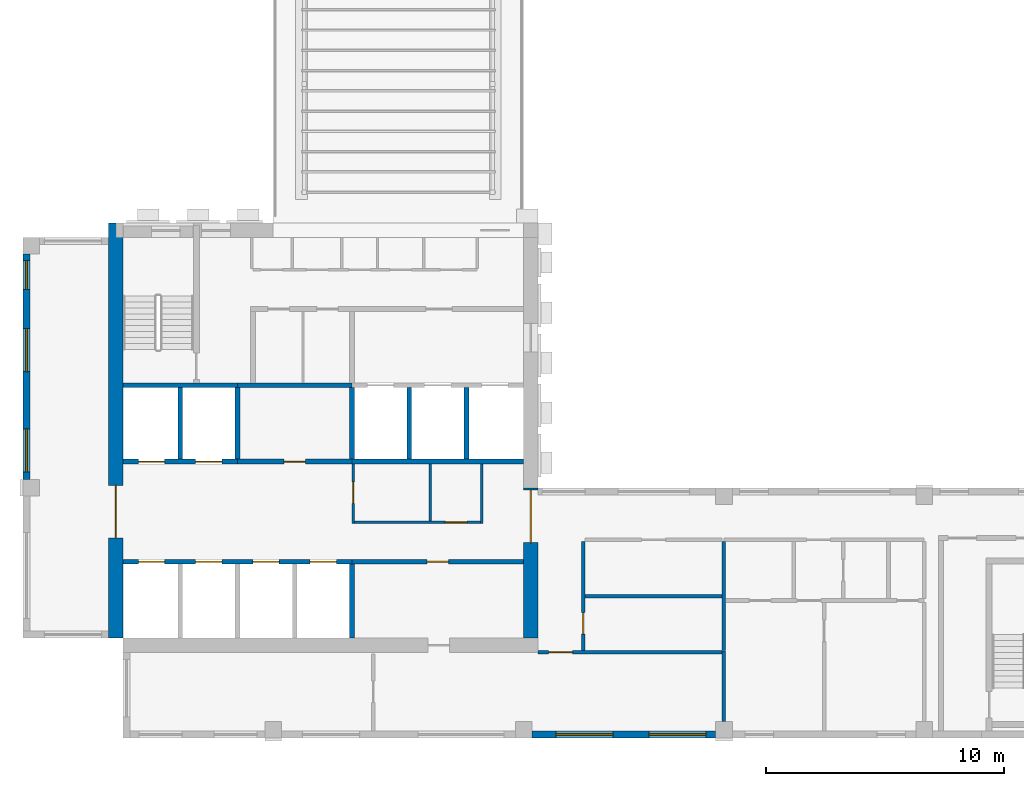
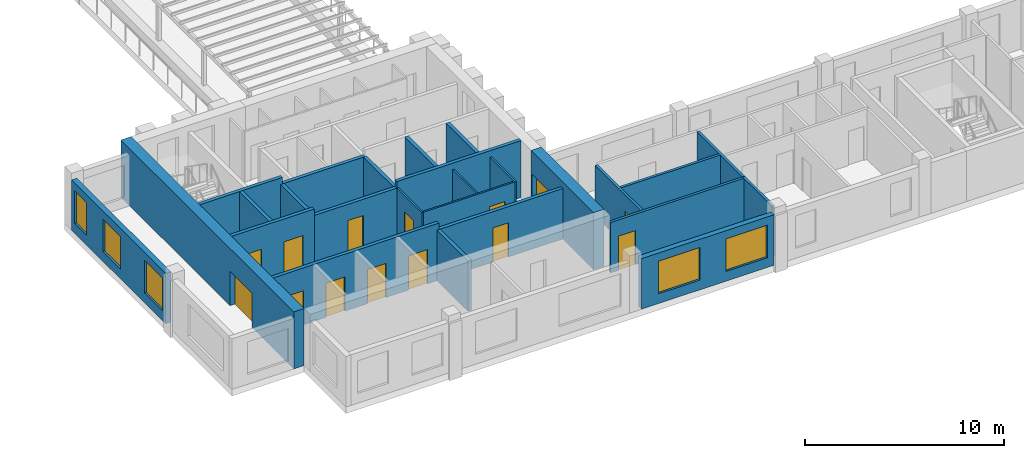
# One storey, part 2 of 9: 26 walls, 14 doors, 5 windows, 19 openings.
"""IFC4 building model written with IfcOpenShell, lengths in metres."""

from ifc_helpers import new_model, si_unit, direction, frame, frame_2d, origin, place, context, subcontext, project, spatial, rectangle, extrude, source, transform, mapped, material, layer, layer_set, type_object, element, fill, save


model = new_model("IFC4")

# Units and contexts
model_context = context("Model", 3, precision=1e-05, world=origin(), true_north=direction((0.0, 1.0)))
body_context = subcontext(model_context, "Body", "Model", "MODEL_VIEW")
ifc_project = project(units=[si_unit("LENGTHUNIT", "METRE"), si_unit("AREAUNIT", "SQUARE_METRE"), si_unit("VOLUMEUNIT", "CUBIC_METRE"), si_unit("PLANEANGLEUNIT", "RADIAN"), si_unit("MASSUNIT", "GRAM", prefix="KILO")], contexts=[model_context])

# Site, building, storey
site_placement = place(None, origin())
site = spatial("IfcSite", under=ifc_project, at=site_placement, CompositionType="ELEMENT")
building_placement = place(site_placement, origin())
building = spatial("IfcBuilding", under=site, at=building_placement, Name="Aurelian Terraces", CompositionType="ELEMENT")
storey_placement = place(building_placement, frame((0.0, 0.0, 309.0)))
storey = spatial("IfcBuildingStorey", under=building, at=storey_placement, Name="L71", CompositionType="ELEMENT", Elevation=309.0)

# Wall, opening, door
ifc_material_1 = material(Name="Concrete fc' 55 MPa", Category="concrete")
ifc_layer_1 = layer(ifc_material_1, 0.6)
ifc_layer_set_1 = layer_set([ifc_layer_1], Name="CORE WALL 600 FC55")
wall_type_1 = type_object("IfcWallType", Name="CORE WALL 600 FC55", PredefinedType="SHEAR", material=ifc_layer_set_1)
shared_shape_1 = source(origin(), body_context, "Body", "SweptSolid", [
    extrude(rectangle(XDim=17.4, YDim=0.6, at=frame_2d((8.7, 0.0))), origin(), (0.0, 0.0, 1.0), 3.5),
])
wall_1_placement = place(storey_placement, frame((3.9, 4.2, 0.0), z_axis=(0.0, 0.0, 1.0), x_axis=(0.0, 1.0, 0.0)))
wall_1 = element("IfcWall", 1, at=wall_1_placement, inside=storey, type_object=wall_type_1, Name="Core wall W L71", PredefinedType="SHEAR", context=body_context, shape_type="MappedRepresentation", body=[
    mapped(shared_shape_1, transform((0.0, 0.0, 0.0), scale=1.0)),
])
shared_shape_2 = source(origin(), body_context, "Body", "SweptSolid", [
    extrude(rectangle(XDim=2.2, YDim=2.1, at=frame_2d((1.1, 1.05))), frame((0.0, 0.31, 0.0), z_axis=(0.0, -1.0, 0.0), x_axis=(1.0, 0.0, 0.0)), (0.0, 0.0, 1.0), 0.62),
])
opening_1_placement = place(wall_1_placement, frame((4.2, 0.0, 0.0)))
opening_1 = element("IfcOpeningElement", 2, at=opening_1_placement, cuts=wall_1, Name="Opening 67429", PredefinedType="OPENING", context=body_context, shape_type="MappedRepresentation", body=[
    mapped(shared_shape_2, transform((0.0, 0.0, 0.0), scale=1.0)),
])
ifc_material_2 = material(Name="Steel door leaf", Category="steel")
door_type_1 = type_object("IfcDoorType", Name="Core double door 2200x2100", OperationType="DOUBLE_DOOR_SINGLE_SWING", PredefinedType="DOOR", material=ifc_material_2)
shared_shape_3 = source(origin(), body_context, "Body", "SweptSolid", [
    extrude(rectangle(XDim=2.2, YDim=2.1, at=frame_2d((1.1, 1.05))), frame((0.0, 0.025, 0.0), z_axis=(0.0, -1.0, 0.0), x_axis=(1.0, 0.0, 0.0)), (0.0, 0.0, 1.0), 0.05),
])
door_1_placement = place(opening_1_placement, origin())
door_1 = element("IfcDoor", 3, at=door_1_placement, inside=storey, type_object=door_type_1, Name="Core door 67429", OperationType="DOUBLE_DOOR_SINGLE_SWING", OverallHeight=2.1, OverallWidth=2.2, PredefinedType="DOOR", context=body_context, shape_type="MappedRepresentation", body=[
    mapped(shared_shape_3, transform((0.0, 0.0, 0.0), scale=1.0)),
])
fill(opening_1, door_1)

shared_shape_4 = source(origin(), body_context, "Body", "SweptSolid", [
    extrude(rectangle(XDim=6.3, YDim=0.6, at=frame_2d((3.15, 0.0))), origin(), (0.0, 0.0, 1.0), 3.5),
])
wall_2_placement = place(storey_placement, frame((21.3, 4.2, 0.0), z_axis=(0.0, 0.0, 1.0), x_axis=(0.0, 1.0, 0.0)))
wall_2 = element("IfcWall", 4, at=wall_2_placement, inside=storey, type_object=wall_type_1, Name="Core wall E L71", PredefinedType="SHEAR", context=body_context, shape_type="MappedRepresentation", body=[
    mapped(shared_shape_4, transform((0.0, 0.0, 0.0), scale=1.0)),
])
opening_2_placement = place(wall_2_placement, frame((4.0, 0.0, 0.0)))
opening_2 = element("IfcOpeningElement", 5, at=opening_2_placement, cuts=wall_2, Name="Opening 67428", PredefinedType="OPENING", context=body_context, shape_type="MappedRepresentation", body=[
    mapped(shared_shape_2, transform((0.0, 0.0, 0.0), scale=1.0)),
])
door_2_placement = place(opening_2_placement, origin())
door_2 = element("IfcDoor", 6, at=door_2_placement, inside=storey, type_object=door_type_1, Name="Core door 67428", OperationType="DOUBLE_DOOR_SINGLE_SWING", OverallHeight=2.1, OverallWidth=2.2, PredefinedType="DOOR", context=body_context, shape_type="MappedRepresentation", body=[
    mapped(shared_shape_3, transform((0.0, 0.0, 0.0), scale=1.0)),
])
fill(opening_2, door_2)

# Wall, openings, windows
ifc_material_3 = material(Name="Terracotta rainscreen cladding", Category="masonry")
ifc_layer_2 = layer(ifc_material_3, 0.3)
ifc_layer_set_2 = layer_set([ifc_layer_2], Name="EW-300")
wall_type_2 = type_object("IfcWallType", Name="EW-300", PredefinedType="STANDARD", material=ifc_layer_set_2)
shared_shape_5 = source(origin(), body_context, "Body", "SweptSolid", [
    extrude(rectangle(XDim=7.7, YDim=0.3, at=frame_2d((3.85, 0.0))), origin(), (0.0, 0.0, 1.0), 3.1),
])
wall_3_placement = place(storey_placement, frame((21.35, 0.15, 0.0), z_axis=(0.0, 0.0, 1.0), x_axis=(1.0, 0.0, 0.0)))
wall_3 = element("IfcWall", 7, at=wall_3_placement, inside=storey, type_object=wall_type_2, Name="External wall L71 F01.3", PredefinedType="STANDARD", context=body_context, shape_type="MappedRepresentation", body=[
    mapped(shared_shape_5, transform((0.0, 0.0, 0.0), scale=1.0)),
])
shared_shape_6 = source(origin(), body_context, "Body", "SweptSolid", [
    extrude(rectangle(XDim=2.4, YDim=2.0, at=frame_2d((1.2, 1.0))), frame((0.0, 0.16, 0.0), z_axis=(0.0, -1.0, 0.0), x_axis=(1.0, 0.0, 0.0)), (0.0, 0.0, 1.0), 0.32),
])
opening_3_placement = place(wall_3_placement, frame((1.0, 0.0, 0.6)))
opening_3 = element("IfcOpeningElement", 8, at=opening_3_placement, cuts=wall_3, Name="Opening W2420", PredefinedType="OPENING", context=body_context, shape_type="MappedRepresentation", body=[
    mapped(shared_shape_6, transform((0.0, 0.0, 0.0), scale=1.0)),
])
opening_4_placement = place(wall_3_placement, frame((4.9, 0.0, 0.6)))
opening_4 = element("IfcOpeningElement", 9, at=opening_4_placement, cuts=wall_3, Name="Opening W2420", PredefinedType="OPENING", context=body_context, shape_type="MappedRepresentation", body=[
    mapped(shared_shape_6, transform((0.0, 0.0, 0.0), scale=1.0)),
])
ifc_material_4 = material(Name="Clear glazing", Category="glass")
window_type_1 = type_object("IfcWindowType", Name="W-2400x2000", PartitioningType="SINGLE_PANEL", PredefinedType="WINDOW", material=ifc_material_4)
shared_shape_7 = source(origin(), body_context, "Body", "SweptSolid", [
    extrude(rectangle(XDim=2.4, YDim=2.0, at=frame_2d((1.2, 1.0))), frame((0.0, 0.03, 0.0), z_axis=(0.0, -1.0, 0.0), x_axis=(1.0, 0.0, 0.0)), (0.0, 0.0, 1.0), 0.06),
])
window_1_placement = place(opening_3_placement, origin())
window_1 = element("IfcWindow", 10, at=window_1_placement, inside=storey, type_object=window_type_1, Name="Window L71 L71-F01-03-1", OverallHeight=2.0, OverallWidth=2.4, PartitioningType="SINGLE_PANEL", PredefinedType="WINDOW", context=body_context, shape_type="MappedRepresentation", body=[
    mapped(shared_shape_7, transform((0.0, 0.0, 0.0), scale=1.0)),
])
fill(opening_3, window_1)
window_2_placement = place(opening_4_placement, origin())
window_2 = element("IfcWindow", 11, at=window_2_placement, inside=storey, type_object=window_type_1, Name="Window L71 L71-F01-03-2", OverallHeight=2.0, OverallWidth=2.4, PartitioningType="SINGLE_PANEL", PredefinedType="WINDOW", context=body_context, shape_type="MappedRepresentation", body=[
    mapped(shared_shape_7, transform((0.0, 0.0, 0.0), scale=1.0)),
])
fill(opening_4, window_2)

shared_shape_8 = source(origin(), body_context, "Body", "SweptSolid", [
    extrude(rectangle(XDim=9.45, YDim=0.3, at=frame_2d((4.725, 0.0))), origin(), (0.0, 0.0, 1.0), 3.1),
])
wall_4_placement = place(storey_placement, frame((0.15, 20.3, 0.0), z_axis=(0.0, 0.0, 1.0), x_axis=(0.0, -1.0, 0.0)))
wall_4 = element("IfcWall", 12, at=wall_4_placement, inside=storey, type_object=wall_type_2, Name="External wall L71 F12.18", PredefinedType="STANDARD", context=body_context, shape_type="MappedRepresentation", body=[
    mapped(shared_shape_8, transform((0.0, 0.0, 0.0), scale=1.0)),
])
shared_shape_9 = source(origin(), body_context, "Body", "SweptSolid", [
    extrude(rectangle(XDim=1.2, YDim=2.0, at=frame_2d((0.6, 1.0))), frame((0.0, 0.16, 0.0), z_axis=(0.0, -1.0, 0.0), x_axis=(1.0, 0.0, 0.0)), (0.0, 0.0, 1.0), 0.32),
])
opening_5_placement = place(wall_4_placement, frame((0.275, 0.0, 0.6)))
opening_5 = element("IfcOpeningElement", 13, at=opening_5_placement, cuts=wall_4, Name="Opening W1220", PredefinedType="OPENING", context=body_context, shape_type="MappedRepresentation", body=[
    mapped(shared_shape_9, transform((0.0, 0.0, 0.0), scale=1.0)),
])
shared_shape_10 = source(origin(), body_context, "Body", "SweptSolid", [
    extrude(rectangle(XDim=1.8, YDim=2.0, at=frame_2d((0.9, 1.0))), frame((0.0, 0.16, 0.0), z_axis=(0.0, -1.0, 0.0), x_axis=(1.0, 0.0, 0.0)), (0.0, 0.0, 1.0), 0.32),
])
opening_6_placement = place(wall_4_placement, frame((3.125, 0.0, 0.6)))
opening_6 = element("IfcOpeningElement", 14, at=opening_6_placement, cuts=wall_4, Name="Opening W1820", PredefinedType="OPENING", context=body_context, shape_type="MappedRepresentation", body=[
    mapped(shared_shape_10, transform((0.0, 0.0, 0.0), scale=1.0)),
])
opening_7_placement = place(wall_4_placement, frame((7.325, 0.0, 0.6)))
opening_7 = element("IfcOpeningElement", 15, at=opening_7_placement, cuts=wall_4, Name="Opening W1820", PredefinedType="OPENING", context=body_context, shape_type="MappedRepresentation", body=[
    mapped(shared_shape_10, transform((0.0, 0.0, 0.0), scale=1.0)),
])
window_type_2 = type_object("IfcWindowType", Name="W-1200x2000", PartitioningType="SINGLE_PANEL", PredefinedType="WINDOW", material=ifc_material_4)
shared_shape_11 = source(origin(), body_context, "Body", "SweptSolid", [
    extrude(rectangle(XDim=1.2, YDim=2.0, at=frame_2d((0.6, 1.0))), frame((0.0, 0.03, 0.0), z_axis=(0.0, -1.0, 0.0), x_axis=(1.0, 0.0, 0.0)), (0.0, 0.0, 1.0), 0.06),
])
window_3_placement = place(opening_5_placement, origin())
window_3 = element("IfcWindow", 16, at=window_3_placement, inside=storey, type_object=window_type_2, Name="Window L71 L71-F12-18-0", OverallHeight=2.0, OverallWidth=1.2, PartitioningType="SINGLE_PANEL", PredefinedType="WINDOW", context=body_context, shape_type="MappedRepresentation", body=[
    mapped(shared_shape_11, transform((0.0, 0.0, 0.0), scale=1.0)),
])
fill(opening_5, window_3)
window_type_3 = type_object("IfcWindowType", Name="W-1800x2000", PartitioningType="SINGLE_PANEL", PredefinedType="WINDOW", material=ifc_material_4)
shared_shape_12 = source(origin(), body_context, "Body", "SweptSolid", [
    extrude(rectangle(XDim=1.8, YDim=2.0, at=frame_2d((0.9, 1.0))), frame((0.0, 0.03, 0.0), z_axis=(0.0, -1.0, 0.0), x_axis=(1.0, 0.0, 0.0)), (0.0, 0.0, 1.0), 0.06),
])
window_4_placement = place(opening_6_placement, origin())
window_4 = element("IfcWindow", 17, at=window_4_placement, inside=storey, type_object=window_type_3, Name="Window L71 L71-F12-18-1", OverallHeight=2.0, OverallWidth=1.8, PartitioningType="SINGLE_PANEL", PredefinedType="WINDOW", context=body_context, shape_type="MappedRepresentation", body=[
    mapped(shared_shape_12, transform((0.0, 0.0, 0.0), scale=1.0)),
])
fill(opening_6, window_4)
window_5_placement = place(opening_7_placement, origin())
window_5 = element("IfcWindow", 18, at=window_5_placement, inside=storey, type_object=window_type_3, Name="Window L71 L71-F12-18-2", OverallHeight=2.0, OverallWidth=1.8, PartitioningType="SINGLE_PANEL", PredefinedType="WINDOW", context=body_context, shape_type="MappedRepresentation", body=[
    mapped(shared_shape_12, transform((0.0, 0.0, 0.0), scale=1.0)),
])
fill(opening_7, window_5)

# Walls
ifc_material_5 = material(Name="Concrete fc' 40 MPa", Category="concrete")
ifc_layer_3 = layer(ifc_material_5, 0.2)
ifc_layer_set_3 = layer_set([ifc_layer_3], Name="Lift shaft wall 200")
wall_type_3 = type_object("IfcWallType", Name="Lift shaft wall 200", PredefinedType="SOLIDWALL", material=ifc_layer_set_3)
shared_shape_13 = source(origin(), body_context, "Body", "SweptSolid", [
    extrude(rectangle(XDim=3.1, YDim=0.2, at=frame_2d((1.55, 0.0))), origin(), (0.0, 0.0, 1.0), 3.1),
])
wall_5_placement = place(storey_placement, frame((13.8, 4.2, 0.0), z_axis=(0.0, 0.0, 1.0), x_axis=(0.0, 1.0, 0.0)))
element("IfcWall", 19, at=wall_5_placement, inside=storey, type_object=wall_type_3, Name="L71 core wall CD-A4", PredefinedType="SOLIDWALL", context=body_context, shape_type="MappedRepresentation", body=[
    mapped(shared_shape_13, transform((0.0, 0.0, 0.0), scale=1.0)),
])
shared_shape_14 = source(origin(), body_context, "Body", "SweptSolid", [
    extrude(rectangle(XDim=3.0, YDim=0.2, at=frame_2d((1.5, 0.0))), origin(), (0.0, 0.0, 1.0), 3.1),
])
for number, where, z_axis, x_axis, name in (
    (20, (9.0, 11.7, 0.0), (0.0, 0.0, 1.0), (0.0, 1.0, 0.0), "L71 core wall CD-B2"),
    (21, (13.8, 11.7, 0.0), (0.0, 0.0, 1.0), (0.0, 1.0, 0.0), "L71 core wall CD-B4"),
):
    element("IfcWall", number, at=place(storey_placement, frame(where, z_axis=z_axis, x_axis=x_axis)), inside=storey, type_object=wall_type_3, Name=name, PredefinedType="SOLIDWALL", context=body_context, shape_type="MappedRepresentation", body=[
        mapped(shared_shape_14, transform((0.0, 0.0, 0.0), scale=1.0)),
    ])
shared_shape_15 = source(origin(), body_context, "Body", "SweptSolid", [
    extrude(rectangle(XDim=3.0, YDim=0.2, at=frame_2d((1.5, 0.0))), origin(), (0.0, 0.0, 1.0), 3.5),
])
for number, where, z_axis, x_axis, name in (
    (22, (6.6, 11.7, 0.0), (0.0, 0.0, 1.0), (0.0, 1.0, 0.0), "L71 core wall CD-B1"),
    (23, (16.2, 11.7, 0.0), (0.0, 0.0, 1.0), (0.0, 1.0, 0.0), "L71 core wall CD-B5"),
    (24, (18.6, 11.7, 0.0), (0.0, 0.0, 1.0), (0.0, 1.0, 0.0), "L71 core wall CD-B6"),
):
    element("IfcWall", number, at=place(storey_placement, frame(where, z_axis=z_axis, x_axis=x_axis)), inside=storey, type_object=wall_type_3, Name=name, PredefinedType="SOLIDWALL", context=body_context, shape_type="MappedRepresentation", body=[
        mapped(shared_shape_15, transform((0.0, 0.0, 0.0), scale=1.0)),
    ])

# Wall, openings, doors
shared_shape_16 = source(origin(), body_context, "Body", "SweptSolid", [
    extrude(rectangle(XDim=4.8, YDim=0.2, at=frame_2d((2.4, 0.0))), origin(), (0.0, 0.0, 1.0), 3.5),
])
wall_6_placement = place(storey_placement, frame((4.2, 11.6, 0.0), z_axis=(0.0, 0.0, 1.0), x_axis=(1.0, 0.0, 0.0)))
wall_6 = element("IfcWall", 25, at=wall_6_placement, inside=storey, type_object=wall_type_3, Name="L71 core wall CF-BF1", PredefinedType="SOLIDWALL", context=body_context, shape_type="MappedRepresentation", body=[
    mapped(shared_shape_16, transform((0.0, 0.0, 0.0), scale=1.0)),
])
shared_shape_17 = source(origin(), body_context, "Body", "SweptSolid", [
    extrude(rectangle(XDim=1.1, YDim=2.1, at=frame_2d((0.55, 1.05))), frame((0.0, 0.11, 0.0), z_axis=(0.0, -1.0, 0.0), x_axis=(1.0, 0.0, 0.0)), (0.0, 0.0, 1.0), 0.22),
])
opening_8_placement = place(wall_6_placement, frame((0.65, 0.0, 0.0)))
opening_8 = element("IfcOpeningElement", 26, at=opening_8_placement, cuts=wall_6, Name="Opening 67405", PredefinedType="OPENING", context=body_context, shape_type="MappedRepresentation", body=[
    mapped(shared_shape_17, transform((0.0, 0.0, 0.0), scale=1.0)),
])
opening_9_placement = place(wall_6_placement, frame((3.05, 0.0, 0.0)))
opening_9 = element("IfcOpeningElement", 27, at=opening_9_placement, cuts=wall_6, Name="Opening 67406", PredefinedType="OPENING", context=body_context, shape_type="MappedRepresentation", body=[
    mapped(shared_shape_17, transform((0.0, 0.0, 0.0), scale=1.0)),
])
ifc_material_6 = material(Name="Stainless steel", Category="steel")
door_type_2 = type_object("IfcDoorType", Name="Lift landing door 1100x2100", OperationType="SLIDING_TO_LEFT", PredefinedType="DOOR", material=ifc_material_6)
shared_shape_18 = source(origin(), body_context, "Body", "SweptSolid", [
    extrude(rectangle(XDim=1.1, YDim=2.1, at=frame_2d((0.55, 1.05))), frame((0.0, 0.025, 0.0), z_axis=(0.0, -1.0, 0.0), x_axis=(1.0, 0.0, 0.0)), (0.0, 0.0, 1.0), 0.05),
])
door_3_placement = place(opening_8_placement, origin())
door_3 = element("IfcDoor", 28, at=door_3_placement, inside=storey, type_object=door_type_2, Name="Lift landing door LH5 L71", OperationType="SLIDING_TO_LEFT", OverallHeight=2.1, OverallWidth=1.1, PredefinedType="DOOR", context=body_context, shape_type="MappedRepresentation", body=[
    mapped(shared_shape_18, transform((0.0, 0.0, 0.0), scale=1.0)),
])
fill(opening_8, door_3)
door_4_placement = place(opening_9_placement, origin())
door_4 = element("IfcDoor", 29, at=door_4_placement, inside=storey, type_object=door_type_2, Name="Lift landing door LH6 L71", OperationType="SLIDING_TO_LEFT", OverallHeight=2.1, OverallWidth=1.1, PredefinedType="DOOR", context=body_context, shape_type="MappedRepresentation", body=[
    mapped(shared_shape_18, transform((0.0, 0.0, 0.0), scale=1.0)),
])
fill(opening_9, door_4)

# Wall
wall_7_placement = place(storey_placement, frame((4.2, 14.8, 0.0), z_axis=(0.0, 0.0, 1.0), x_axis=(1.0, 0.0, 0.0)))
element("IfcWall", 30, at=wall_7_placement, inside=storey, type_object=wall_type_3, Name="L71 core wall CF-BB1", PredefinedType="SOLIDWALL", context=body_context, shape_type="MappedRepresentation", body=[
    mapped(shared_shape_16, transform((0.0, 0.0, 0.0), scale=1.0)),
])

# Wall, opening, door
shared_shape_19 = source(origin(), body_context, "Body", "SweptSolid", [
    extrude(rectangle(XDim=4.8, YDim=0.2, at=frame_2d((2.4, 0.0))), origin(), (0.0, 0.0, 1.0), 3.1),
])
wall_8_placement = place(storey_placement, frame((9.0, 11.6, 0.0), z_axis=(0.0, 0.0, 1.0), x_axis=(1.0, 0.0, 0.0)))
wall_8 = element("IfcWall", 31, at=wall_8_placement, inside=storey, type_object=wall_type_3, Name="L71 core wall CF-BF2", PredefinedType="SOLIDWALL", context=body_context, shape_type="MappedRepresentation", body=[
    mapped(shared_shape_19, transform((0.0, 0.0, 0.0), scale=1.0)),
])
shared_shape_20 = source(origin(), body_context, "Body", "SweptSolid", [
    extrude(rectangle(XDim=0.9, YDim=2.1, at=frame_2d((0.45, 1.05))), frame((0.0, 0.11, 0.0), z_axis=(0.0, -1.0, 0.0), x_axis=(1.0, 0.0, 0.0)), (0.0, 0.0, 1.0), 0.22),
])
opening_10_placement = place(wall_8_placement, frame((1.95, 0.0, 0.0)))
opening_10 = element("IfcOpeningElement", 32, at=opening_10_placement, cuts=wall_8, Name="Opening 67407", PredefinedType="OPENING", context=body_context, shape_type="MappedRepresentation", body=[
    mapped(shared_shape_20, transform((0.0, 0.0, 0.0), scale=1.0)),
])
door_type_3 = type_object("IfcDoorType", Name="Core service door 900x2100 right", OperationType="SINGLE_SWING_RIGHT", PredefinedType="DOOR", material=ifc_material_2)
shared_shape_21 = source(origin(), body_context, "Body", "SweptSolid", [
    extrude(rectangle(XDim=0.9, YDim=2.1, at=frame_2d((0.45, 1.05))), frame((0.0, 0.025, 0.0), z_axis=(0.0, -1.0, 0.0), x_axis=(1.0, 0.0, 0.0)), (0.0, 0.0, 1.0), 0.05),
])
door_5_placement = place(opening_10_placement, origin())
door_5 = element("IfcDoor", 33, at=door_5_placement, inside=storey, type_object=door_type_3, Name="Room door 67407", OperationType="SINGLE_SWING_RIGHT", OverallHeight=2.1, OverallWidth=0.9, PredefinedType="DOOR", context=body_context, shape_type="MappedRepresentation", body=[
    mapped(shared_shape_21, transform((0.0, 0.0, 0.0), scale=1.0)),
])
fill(opening_10, door_5)

# Walls
wall_9_placement = place(storey_placement, frame((9.0, 14.8, 0.0), z_axis=(0.0, 0.0, 1.0), x_axis=(1.0, 0.0, 0.0)))
element("IfcWall", 34, at=wall_9_placement, inside=storey, type_object=wall_type_3, Name="L71 core wall CF-BB2", PredefinedType="SOLIDWALL", context=body_context, shape_type="MappedRepresentation", body=[
    mapped(shared_shape_19, transform((0.0, 0.0, 0.0), scale=1.0)),
])
shared_shape_22 = source(origin(), body_context, "Body", "SweptSolid", [
    extrude(rectangle(XDim=7.2, YDim=0.2, at=frame_2d((3.6, 0.0))), origin(), (0.0, 0.0, 1.0), 3.5),
])
wall_10_placement = place(storey_placement, frame((13.8, 11.6, 0.0), z_axis=(0.0, 0.0, 1.0), x_axis=(1.0, 0.0, 0.0)))
element("IfcWall", 35, at=wall_10_placement, inside=storey, type_object=wall_type_3, Name="L71 core wall CF-BF3", PredefinedType="SOLIDWALL", context=body_context, shape_type="MappedRepresentation", body=[
    mapped(shared_shape_22, transform((0.0, 0.0, 0.0), scale=1.0)),
])

# Wall, openings, doors
shared_shape_23 = source(origin(), body_context, "Body", "SweptSolid", [
    extrude(rectangle(XDim=9.6, YDim=0.2, at=frame_2d((4.8, 0.0))), origin(), (0.0, 0.0, 1.0), 3.5),
])
wall_11_placement = place(storey_placement, frame((4.2, 7.4, 0.0), z_axis=(0.0, 0.0, 1.0), x_axis=(1.0, 0.0, 0.0)))
wall_11 = element("IfcWall", 36, at=wall_11_placement, inside=storey, type_object=wall_type_3, Name="L71 core wall CF-AF1", PredefinedType="SOLIDWALL", context=body_context, shape_type="MappedRepresentation", body=[
    mapped(shared_shape_23, transform((0.0, 0.0, 0.0), scale=1.0)),
])
opening_11_placement = place(wall_11_placement, frame((0.65, 0.0, 0.0)))
opening_11 = element("IfcOpeningElement", 37, at=opening_11_placement, cuts=wall_11, Name="Opening 67400", PredefinedType="OPENING", context=body_context, shape_type="MappedRepresentation", body=[
    mapped(shared_shape_17, transform((0.0, 0.0, 0.0), scale=1.0)),
])
opening_12_placement = place(wall_11_placement, frame((3.05, 0.0, 0.0)))
opening_12 = element("IfcOpeningElement", 38, at=opening_12_placement, cuts=wall_11, Name="Opening 67401", PredefinedType="OPENING", context=body_context, shape_type="MappedRepresentation", body=[
    mapped(shared_shape_17, transform((0.0, 0.0, 0.0), scale=1.0)),
])
opening_13_placement = place(wall_11_placement, frame((5.45, 0.0, 0.0)))
opening_13 = element("IfcOpeningElement", 39, at=opening_13_placement, cuts=wall_11, Name="Opening 67402", PredefinedType="OPENING", context=body_context, shape_type="MappedRepresentation", body=[
    mapped(shared_shape_17, transform((0.0, 0.0, 0.0), scale=1.0)),
])
opening_14_placement = place(wall_11_placement, frame((7.85, 0.0, 0.0)))
opening_14 = element("IfcOpeningElement", 40, at=opening_14_placement, cuts=wall_11, Name="Opening 67403", PredefinedType="OPENING", context=body_context, shape_type="MappedRepresentation", body=[
    mapped(shared_shape_17, transform((0.0, 0.0, 0.0), scale=1.0)),
])
door_6_placement = place(opening_11_placement, origin())
door_6 = element("IfcDoor", 41, at=door_6_placement, inside=storey, type_object=door_type_2, Name="Lift landing door LH1 L71", OperationType="SLIDING_TO_LEFT", OverallHeight=2.1, OverallWidth=1.1, PredefinedType="DOOR", context=body_context, shape_type="MappedRepresentation", body=[
    mapped(shared_shape_18, transform((0.0, 0.0, 0.0), scale=1.0)),
])
fill(opening_11, door_6)
door_7_placement = place(opening_12_placement, origin())
door_7 = element("IfcDoor", 42, at=door_7_placement, inside=storey, type_object=door_type_2, Name="Lift landing door LH2 L71", OperationType="SLIDING_TO_LEFT", OverallHeight=2.1, OverallWidth=1.1, PredefinedType="DOOR", context=body_context, shape_type="MappedRepresentation", body=[
    mapped(shared_shape_18, transform((0.0, 0.0, 0.0), scale=1.0)),
])
fill(opening_12, door_7)
door_8_placement = place(opening_13_placement, origin())
door_8 = element("IfcDoor", 43, at=door_8_placement, inside=storey, type_object=door_type_2, Name="Lift landing door LH3 L71", OperationType="SLIDING_TO_LEFT", OverallHeight=2.1, OverallWidth=1.1, PredefinedType="DOOR", context=body_context, shape_type="MappedRepresentation", body=[
    mapped(shared_shape_18, transform((0.0, 0.0, 0.0), scale=1.0)),
])
fill(opening_13, door_8)
door_9_placement = place(opening_14_placement, origin())
door_9 = element("IfcDoor", 44, at=door_9_placement, inside=storey, type_object=door_type_2, Name="Lift landing door LH4 L71", OperationType="SLIDING_TO_LEFT", OverallHeight=2.1, OverallWidth=1.1, PredefinedType="DOOR", context=body_context, shape_type="MappedRepresentation", body=[
    mapped(shared_shape_18, transform((0.0, 0.0, 0.0), scale=1.0)),
])
fill(opening_14, door_9)

# Wall, opening, door
shared_shape_24 = source(origin(), body_context, "Body", "SweptSolid", [
    extrude(rectangle(XDim=7.2, YDim=0.2, at=frame_2d((3.6, 0.0))), origin(), (0.0, 0.0, 1.0), 3.1),
])
wall_12_placement = place(storey_placement, frame((13.8, 7.4, 0.0), z_axis=(0.0, 0.0, 1.0), x_axis=(1.0, 0.0, 0.0)))
wall_12 = element("IfcWall", 45, at=wall_12_placement, inside=storey, type_object=wall_type_3, Name="L71 core wall CF-AF2", PredefinedType="SOLIDWALL", context=body_context, shape_type="MappedRepresentation", body=[
    mapped(shared_shape_24, transform((0.0, 0.0, 0.0), scale=1.0)),
])
opening_15_placement = place(wall_12_placement, frame((3.15, 0.0, 0.0)))
opening_15 = element("IfcOpeningElement", 46, at=opening_15_placement, cuts=wall_12, Name="Opening 67404", PredefinedType="OPENING", context=body_context, shape_type="MappedRepresentation", body=[
    mapped(shared_shape_20, transform((0.0, 0.0, 0.0), scale=1.0)),
])
door_type_4 = type_object("IfcDoorType", Name="Core service door 900x2100", OperationType="SINGLE_SWING_LEFT", PredefinedType="DOOR", material=ifc_material_2)
door_10_placement = place(opening_15_placement, origin())
door_10 = element("IfcDoor", 47, at=door_10_placement, inside=storey, type_object=door_type_4, Name="Room door 67404", OperationType="SINGLE_SWING_LEFT", OverallHeight=2.1, OverallWidth=0.9, PredefinedType="DOOR", context=body_context, shape_type="MappedRepresentation", body=[
    mapped(shared_shape_21, transform((0.0, 0.0, 0.0), scale=1.0)),
])
fill(opening_15, door_10)

ifc_material_7 = material(Name="Gypsum board on steel studs", Category="steel")
ifc_layer_4 = layer(ifc_material_7, 0.1)
ifc_layer_set_4 = layer_set([ifc_layer_4], Name="Core partition 100")
wall_type_4 = type_object("IfcWallType", Name="Core partition 100", PredefinedType="PARTITIONING", material=ifc_layer_set_4)
shared_shape_25 = source(origin(), body_context, "Body", "SweptSolid", [
    extrude(rectangle(XDim=2.5, YDim=0.1, at=frame_2d((1.25, 0.0))), origin(), (0.0, 0.0, 1.0), 3.1),
])
wall_13_placement = place(storey_placement, frame((13.85, 9.0, 0.0), z_axis=(0.0, 0.0, 1.0), x_axis=(0.0, 1.0, 0.0)))
wall_13 = element("IfcWall", 48, at=wall_13_placement, inside=storey, type_object=wall_type_4, Name="L71 core wall SV-EW", PredefinedType="PARTITIONING", context=body_context, shape_type="MappedRepresentation", body=[
    mapped(shared_shape_25, transform((0.0, 0.0, 0.0), scale=1.0)),
])
shared_shape_26 = source(origin(), body_context, "Body", "SweptSolid", [
    extrude(rectangle(XDim=0.9, YDim=2.1, at=frame_2d((0.45, 1.05))), frame((0.0, 0.06, 0.0), z_axis=(0.0, -1.0, 0.0), x_axis=(1.0, 0.0, 0.0)), (0.0, 0.0, 1.0), 0.12),
])
opening_16_placement = place(wall_13_placement, frame((0.85, 0.0, 0.0)))
opening_16 = element("IfcOpeningElement", 49, at=opening_16_placement, cuts=wall_13, Name="Opening 67421", PredefinedType="OPENING", context=body_context, shape_type="MappedRepresentation", body=[
    mapped(shared_shape_26, transform((0.0, 0.0, 0.0), scale=1.0)),
])
door_11_placement = place(opening_16_placement, origin())
door_11 = element("IfcDoor", 50, at=door_11_placement, inside=storey, type_object=door_type_3, Name="Room door 67421", OperationType="SINGLE_SWING_RIGHT", OverallHeight=2.1, OverallWidth=0.9, PredefinedType="DOOR", context=body_context, shape_type="MappedRepresentation", body=[
    mapped(shared_shape_21, transform((0.0, 0.0, 0.0), scale=1.0)),
])
fill(opening_16, door_11)

# Walls
wall_14_placement = place(storey_placement, frame((19.25, 9.0, 0.0), z_axis=(0.0, 0.0, 1.0), x_axis=(0.0, 1.0, 0.0)))
element("IfcWall", 51, at=wall_14_placement, inside=storey, type_object=wall_type_4, Name="L71 core wall SV-EE", PredefinedType="PARTITIONING", context=body_context, shape_type="MappedRepresentation", body=[
    mapped(shared_shape_25, transform((0.0, 0.0, 0.0), scale=1.0)),
])
shared_shape_27 = source(origin(), body_context, "Body", "SweptSolid", [
    extrude(rectangle(XDim=2.4, YDim=0.1, at=frame_2d((1.2, 0.0))), origin(), (0.0, 0.0, 1.0), 3.1),
])
wall_15_placement = place(storey_placement, frame((17.08, 9.1, 0.0), z_axis=(0.0, 0.0, 1.0), x_axis=(0.0, 1.0, 0.0)))
element("IfcWall", 52, at=wall_15_placement, inside=storey, type_object=wall_type_4, Name="L71 core wall SV-EP", PredefinedType="PARTITIONING", context=body_context, shape_type="MappedRepresentation", body=[
    mapped(shared_shape_27, transform((0.0, 0.0, 0.0), scale=1.0)),
])

# Wall, opening, door
shared_shape_28 = source(origin(), body_context, "Body", "SweptSolid", [
    extrude(rectangle(XDim=5.4, YDim=0.1, at=frame_2d((2.7, 0.0))), origin(), (0.0, 0.0, 1.0), 3.1),
])
wall_16_placement = place(storey_placement, frame((13.8, 9.05, 0.0), z_axis=(0.0, 0.0, 1.0), x_axis=(1.0, 0.0, 0.0)))
wall_16 = element("IfcWall", 53, at=wall_16_placement, inside=storey, type_object=wall_type_4, Name="L71 core wall SV-ES", PredefinedType="PARTITIONING", context=body_context, shape_type="MappedRepresentation", body=[
    mapped(shared_shape_28, transform((0.0, 0.0, 0.0), scale=1.0)),
])
opening_17_placement = place(wall_16_placement, frame((3.915, 0.0, 0.0)))
opening_17 = element("IfcOpeningElement", 54, at=opening_17_placement, cuts=wall_16, Name="Opening 67420", PredefinedType="OPENING", context=body_context, shape_type="MappedRepresentation", body=[
    mapped(shared_shape_26, transform((0.0, 0.0, 0.0), scale=1.0)),
])
door_12_placement = place(opening_17_placement, origin())
door_12 = element("IfcDoor", 55, at=door_12_placement, inside=storey, type_object=door_type_4, Name="Room door 67420", OperationType="SINGLE_SWING_LEFT", OverallHeight=2.1, OverallWidth=0.9, PredefinedType="DOOR", context=body_context, shape_type="MappedRepresentation", body=[
    mapped(shared_shape_21, transform((0.0, 0.0, 0.0), scale=1.0)),
])
fill(opening_17, door_12)

ifc_layer_5 = layer(ifc_material_7, 0.15)
ifc_layer_set_5 = layer_set([ifc_layer_5], Name="Partition 150")
wall_type_5 = type_object("IfcWallType", Name="Partition 150", PredefinedType="PARTITIONING", material=ifc_layer_set_5)
shared_shape_29 = source(origin(), body_context, "Body", "SweptSolid", [
    extrude(rectangle(XDim=4.575, YDim=0.15, at=frame_2d((2.2875, 0.0))), origin(), (0.0, 0.0, 1.0), 3.1),
])
wall_17_placement = place(storey_placement, frame((23.5, 8.25, 0.0), z_axis=(0.0, 0.0, 1.0), x_axis=(0.0, -1.0, 0.0)))
wall_17 = element("IfcWall", 56, at=wall_17_placement, inside=storey, type_object=wall_type_5, Name="Partition", PredefinedType="PARTITIONING", context=body_context, shape_type="MappedRepresentation", body=[
    mapped(shared_shape_29, transform((0.0, 0.0, 0.0), scale=1.0)),
])
shared_shape_30 = source(origin(), body_context, "Body", "SweptSolid", [
    extrude(rectangle(XDim=0.9, YDim=2.1, at=frame_2d((0.45, 1.05))), frame((0.0, 0.085, 0.0), z_axis=(0.0, -1.0, 0.0), x_axis=(1.0, 0.0, 0.0)), (0.0, 0.0, 1.0), 0.17),
])
opening_18_placement = place(wall_17_placement, frame((2.981, 0.0, 0.0)))
opening_18 = element("IfcOpeningElement", 57, at=opening_18_placement, cuts=wall_17, Name="Opening 771002", PredefinedType="OPENING", context=body_context, shape_type="MappedRepresentation", body=[
    mapped(shared_shape_30, transform((0.0, 0.0, 0.0), scale=1.0)),
])
ifc_material_8 = material(Name="Timber door leaf", Category="wood")
door_type_5 = type_object("IfcDoorType", Name="Room door 900x2100 left", OperationType="SINGLE_SWING_LEFT", PredefinedType="DOOR", material=ifc_material_8)
door_13_placement = place(opening_18_placement, origin())
door_13 = element("IfcDoor", 58, at=door_13_placement, inside=storey, type_object=door_type_5, Name="Door 771002", OperationType="SINGLE_SWING_LEFT", OverallHeight=2.1, OverallWidth=0.9, PredefinedType="DOOR", context=body_context, shape_type="MappedRepresentation", body=[
    mapped(shared_shape_21, transform((0.0, 0.0, 0.0), scale=1.0)),
])
fill(opening_18, door_13)

# Walls
wall_18_placement = place(storey_placement, frame((29.4, 3.675, 0.0), z_axis=(0.0, 0.0, 1.0), x_axis=(0.0, 1.0, 0.0)))
element("IfcWall", 59, at=wall_18_placement, inside=storey, type_object=wall_type_5, Name="Partition", PredefinedType="PARTITIONING", context=body_context, shape_type="MappedRepresentation", body=[
    mapped(shared_shape_29, transform((0.0, 0.0, 0.0), scale=1.0)),
])
shared_shape_31 = source(origin(), body_context, "Body", "SweptSolid", [
    extrude(rectangle(XDim=5.75, YDim=0.15, at=frame_2d((2.875, 0.0))), origin(), (0.0, 0.0, 1.0), 3.1),
])
wall_19_placement = place(storey_placement, frame((29.325, 5.963, 0.0), z_axis=(0.0, 0.0, 1.0), x_axis=(-1.0, 0.0, 0.0)))
element("IfcWall", 60, at=wall_19_placement, inside=storey, type_object=wall_type_5, Name="Partition", PredefinedType="PARTITIONING", context=body_context, shape_type="MappedRepresentation", body=[
    mapped(shared_shape_31, transform((0.0, 0.0, 0.0), scale=1.0)),
])

# Wall, opening, door
shared_shape_32 = source(origin(), body_context, "Body", "SweptSolid", [
    extrude(rectangle(XDim=7.725, YDim=0.15, at=frame_2d((3.8625, 0.0))), origin(), (0.0, 0.0, 1.0), 3.1),
])
wall_20_placement = place(storey_placement, frame((21.6, 3.6, 0.0), z_axis=(0.0, 0.0, 1.0), x_axis=(1.0, 0.0, 0.0)))
wall_20 = element("IfcWall", 61, at=wall_20_placement, inside=storey, type_object=wall_type_5, Name="Partition", PredefinedType="PARTITIONING", context=body_context, shape_type="MappedRepresentation", body=[
    mapped(shared_shape_32, transform((0.0, 0.0, 0.0), scale=1.0)),
])
shared_shape_33 = source(origin(), body_context, "Body", "SweptSolid", [
    extrude(rectangle(XDim=1.0, YDim=2.1, at=frame_2d((0.5, 1.05))), frame((0.0, 0.085, 0.0), z_axis=(0.0, -1.0, 0.0), x_axis=(1.0, 0.0, 0.0)), (0.0, 0.0, 1.0), 0.17),
])
opening_19_placement = place(wall_20_placement, frame((0.45, 0.0, 0.0)))
opening_19 = element("IfcOpeningElement", 62, at=opening_19_placement, cuts=wall_20, Name="Opening 771004", PredefinedType="OPENING", context=body_context, shape_type="MappedRepresentation", body=[
    mapped(shared_shape_33, transform((0.0, 0.0, 0.0), scale=1.0)),
])
door_type_6 = type_object("IfcDoorType", Name="Room door 1000x2100 left", OperationType="SINGLE_SWING_LEFT", PredefinedType="DOOR", material=ifc_material_8)
shared_shape_34 = source(origin(), body_context, "Body", "SweptSolid", [
    extrude(rectangle(XDim=1.0, YDim=2.1, at=frame_2d((0.5, 1.05))), frame((0.0, 0.025, 0.0), z_axis=(0.0, -1.0, 0.0), x_axis=(1.0, 0.0, 0.0)), (0.0, 0.0, 1.0), 0.05),
])
door_14_placement = place(opening_19_placement, origin())
door_14 = element("IfcDoor", 63, at=door_14_placement, inside=storey, type_object=door_type_6, Name="Door 771004", OperationType="SINGLE_SWING_LEFT", OverallHeight=2.1, OverallWidth=1.0, PredefinedType="DOOR", context=body_context, shape_type="MappedRepresentation", body=[
    mapped(shared_shape_34, transform((0.0, 0.0, 0.0), scale=1.0)),
])
fill(opening_19, door_14)

# Wall
ifc_layer_6 = layer(ifc_material_7, 0.15)
ifc_layer_set_6 = layer_set([ifc_layer_6], Name="Fire partition 150")
wall_type_6 = type_object("IfcWallType", Name="Fire partition 150", PredefinedType="PARTITIONING", material=ifc_layer_set_6)
shared_shape_35 = source(origin(), body_context, "Body", "SweptSolid", [
    extrude(rectangle(XDim=2.956, YDim=0.15, at=frame_2d((1.478, 0.0))), origin(), (0.0, 0.0, 1.0), 3.1),
])
wall_21_placement = place(storey_placement, frame((29.4, 0.699, 0.0), z_axis=(0.0, 0.0, 1.0), x_axis=(0.0, 1.0, 0.0)))
element("IfcWall", 64, at=wall_21_placement, inside=storey, type_object=wall_type_6, Name="Party wall", PredefinedType="PARTITIONING", context=body_context, shape_type="MappedRepresentation", body=[
    mapped(shared_shape_35, transform((0.0, 0.0, 0.0), scale=1.0)),
])

save(model, "model.ifc")
